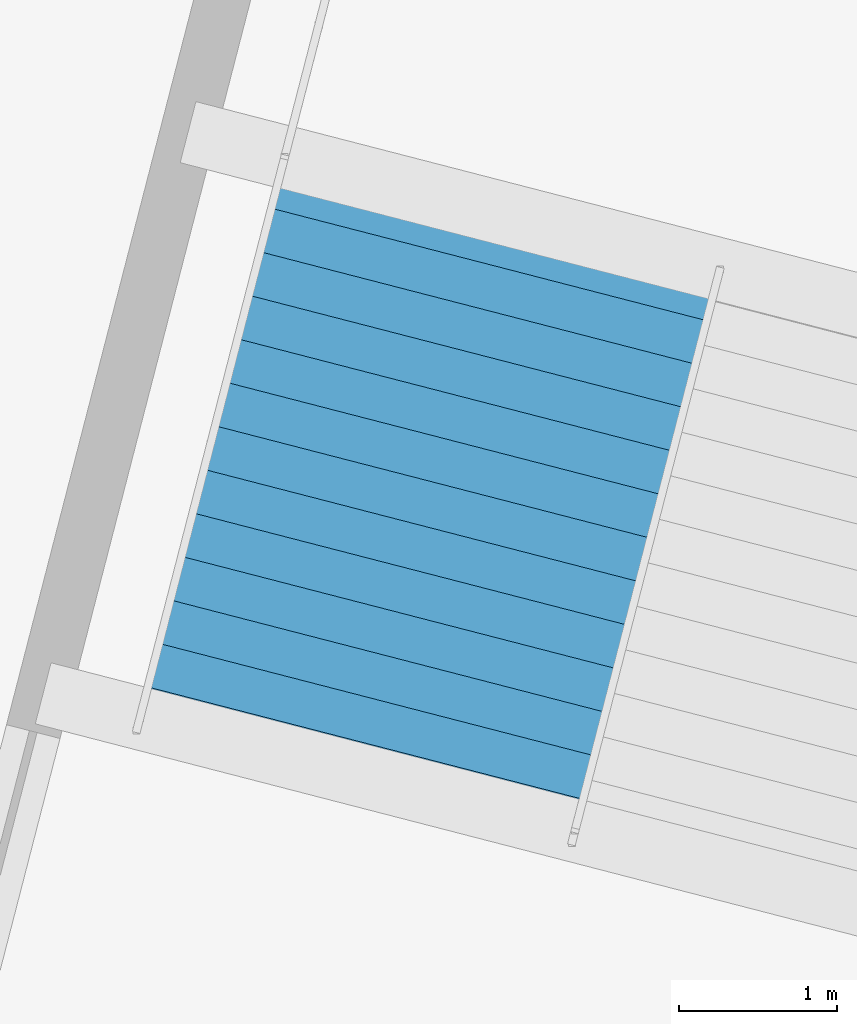
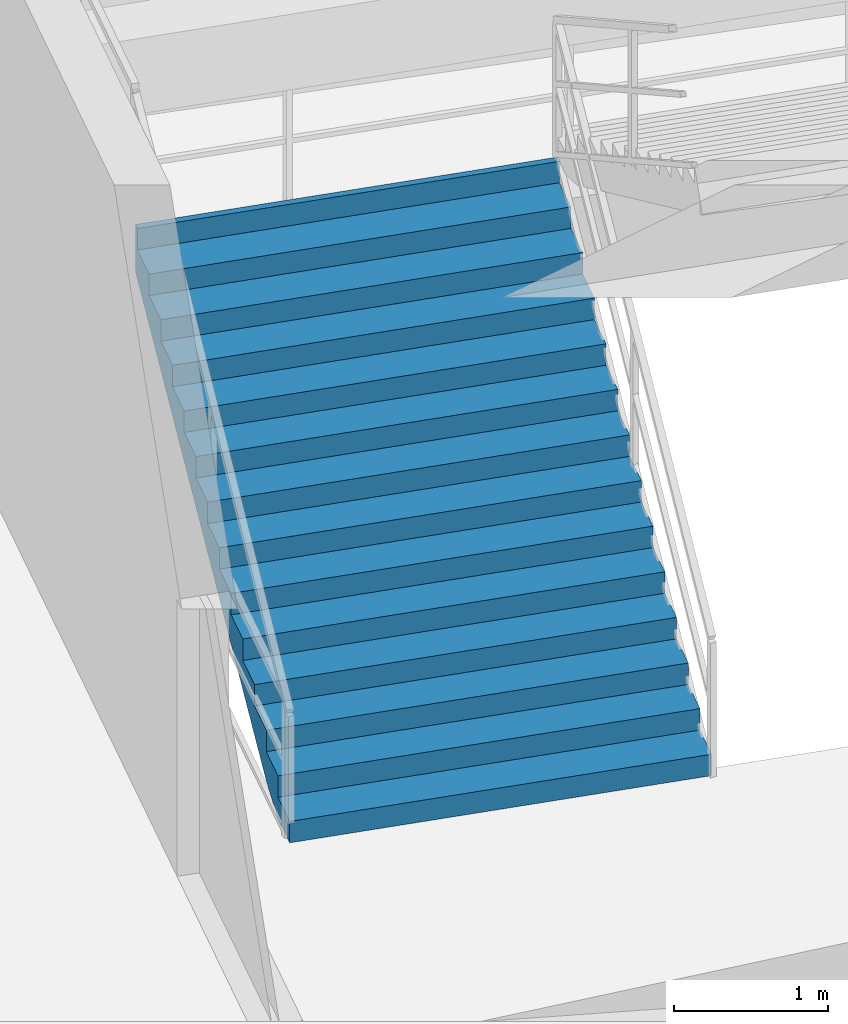
# One storey, part 150 of 171: 1 stair flight, 1 element without a shape of its own.
"""IFC4 building model written with IfcOpenShell, lengths in metres."""

from ifc_helpers import new_model, si_unit, direction, frame, origin, place, context, subcontext, project, spatial, polygons, material, type_object, element, aggregate, save


model = new_model("IFC4")

# Units and contexts
model_context = context("Model", 3, precision=1e-05, world=origin(), true_north=direction((0.0, 1.0)))
body_context = subcontext(model_context, "Body", "Model", "MODEL_VIEW")
ifc_project = project(units=[si_unit("LENGTHUNIT", "METRE"), si_unit("AREAUNIT", "SQUARE_METRE"), si_unit("VOLUMEUNIT", "CUBIC_METRE"), si_unit("PLANEANGLEUNIT", "RADIAN"), si_unit("MASSUNIT", "GRAM", prefix="KILO")], contexts=[model_context])

# Site, building, storey
site_placement = place(None, origin())
site = spatial("IfcSite", under=ifc_project, at=site_placement, CompositionType="ELEMENT")
building_placement = place(site_placement, origin())
building = spatial("IfcBuilding", under=site, at=building_placement, Name="Kazemori Nagisa Stadium", CompositionType="ELEMENT")
storey_placement = place(building_placement, frame((0.0, 0.0, 15.639892578125)))
storey = spatial("IfcBuildingStorey", under=building, at=storey_placement, Name="L03", CompositionType="ELEMENT", Elevation=15.639892578125)

# Stair, stair flight
ifc_material = material(Name="Concrete C36/45 (Fc36)", Category="concrete")
stair_type = type_object("IfcStairType", Name="Stair_CORE_28", PredefinedType="TWO_STRAIGHT_RUN_STAIR", material=ifc_material)
stair_placement = place(storey_placement, origin())
stair = element("IfcStair", 1, at=stair_placement, inside=storey, type_object=stair_type, Name="Exit stair ST10 L03", PredefinedType="TWO_STRAIGHT_RUN_STAIR")
stair_flight_type = type_object("IfcStairFlightType", Name="Flight_CORE_14", PredefinedType="STRAIGHT", material=ifc_material)
stair_flight_placement = place(storey_placement, frame((205.068359375, 69.982666015625, 0.0), z_axis=(0.0, 0.0, 1.0), x_axis=(0.250001576145, 0.968245429592, 0.0)))
stair_flight = element("IfcStairFlight", 2, at=stair_flight_placement, type_object=stair_flight_type, Name="Exit stair ST10 L03 flight 1", NumberOfRisers=14, NumberOfTreads=13, PredefinedType="STRAIGHT", RiserHeight=0.17, TreadLength=0.285, context=body_context, shape_type="Tessellation", body=[
    polygons([(0.0, -1.425048828125, 0.0), (0.0, -1.425048828125, 0.169921875), (0.284912109375, -1.425048828125, 0.169921875), (0.284912109375, -1.425048828125, 0.340087890625), (0.570068359375, -1.425048828125, 0.340087890625), (0.570068359375, -1.425048828125, 0.510009765625), (0.85498046875, -1.425048828125, 0.510009765625), (0.85498046875, -1.425048828125, 0.679931640625), (1.139892578125, -1.425048828125, 0.679931640625), (1.139892578125, -1.425048828125, 0.85009765625), (1.425048828125, -1.425048828125, 0.85009765625), (1.425048828125, -1.425048828125, 1.02001953125), (1.7099609375, -1.425048828125, 1.02001953125), (1.7099609375, -1.425048828125, 1.18994140625), (1.9951171875, -1.425048828125, 1.18994140625), (1.9951171875, -1.425048828125, 1.360107421875), (2.280029296875, -1.425048828125, 1.360107421875), (2.280029296875, -1.425048828125, 1.530029296875), (2.56494140625, -1.425048828125, 1.530029296875), (2.56494140625, -1.425048828125, 1.699951171875), (2.85009765625, -1.425048828125, 1.699951171875), (2.85009765625, -1.425048828125, 1.8701171875), (3.135009765625, -1.425048828125, 1.8701171875), (3.135009765625, -1.425048828125, 2.0400390625), (3.419921875, -1.425048828125, 2.0400390625), (3.419921875, -1.425048828125, 2.2099609375), (3.705078125, -1.425048828125, 2.2099609375), (3.705078125, -1.425048828125, 2.3798828125), (3.7548828125, -1.425048828125, 2.3798828125), (3.7548828125, -1.425048828125, 2.007080078125), (3.705078125, -1.425048828125, 1.977294921875), (3.419921875, -1.425048828125, 1.80712890625), (3.135009765625, -1.425048828125, 1.63720703125), (2.85009765625, -1.425048828125, 1.46728515625), (2.56494140625, -1.425048828125, 1.297119140625), (2.280029296875, -1.425048828125, 1.127197265625), (1.9951171875, -1.425048828125, 0.957275390625), (1.7099609375, -1.425048828125, 0.787109375), (1.425048828125, -1.425048828125, 0.6171875), (1.139892578125, -1.425048828125, 0.447265625), (0.85498046875, -1.425048828125, 0.277099609375), (0.570068359375, -1.425048828125, 0.107177734375), (0.284912109375, -1.425048828125, 0.0), (0.0, -0.08544921875, 0.0), (0.0, -0.08544921875, 0.169921875), (0.284912109375, -0.08544921875, 0.169921875), (0.284912109375, -0.08544921875, 0.340087890625), (0.570068359375, -0.08544921875, 0.340087890625), (0.570068359375, -0.08544921875, 0.510009765625), (0.85498046875, -0.08544921875, 0.510009765625), (0.85498046875, -0.08544921875, 0.679931640625), (1.139892578125, -0.08544921875, 0.679931640625), (1.139892578125, -0.08544921875, 0.85009765625), (1.425048828125, -0.08544921875, 0.85009765625), (1.425048828125, -0.08544921875, 1.02001953125), (1.7099609375, -0.08544921875, 1.02001953125), (1.7099609375, -0.08544921875, 1.18994140625), (1.9951171875, -0.08544921875, 1.18994140625), (1.9951171875, -0.08544921875, 1.360107421875), (2.280029296875, -0.08544921875, 1.360107421875), (2.280029296875, -0.08544921875, 1.530029296875), (2.56494140625, -0.08544921875, 1.530029296875), (2.56494140625, -0.08544921875, 1.699951171875), (2.85009765625, -0.08544921875, 1.699951171875), (2.85009765625, -0.08544921875, 1.8701171875), (3.135009765625, -0.08544921875, 1.8701171875), (3.135009765625, -0.08544921875, 2.0400390625), (3.419921875, -0.08544921875, 2.0400390625), (3.419921875, -0.08544921875, 2.2099609375), (3.705078125, -0.08544921875, 2.2099609375), (3.705078125, -0.08544921875, 2.3798828125), (3.7548828125, -0.08544921875, 2.3798828125), (3.7548828125, -0.08544921875, 2.007080078125), (3.705078125, -0.08544921875, 1.977294921875), (3.419921875, -0.08544921875, 1.80712890625), (3.135009765625, -0.08544921875, 1.63720703125), (2.85009765625, -0.08544921875, 1.46728515625), (2.56494140625, -0.08544921875, 1.297119140625), (2.280029296875, -0.08544921875, 1.127197265625), (1.9951171875, -0.08544921875, 0.957275390625), (1.7099609375, -0.08544921875, 0.787109375), (1.425048828125, -0.08544921875, 0.6171875), (1.139892578125, -0.08544921875, 0.447265625), (0.85498046875, -0.08544921875, 0.277099609375), (0.570068359375, -0.08544921875, 0.107177734375), (0.284912109375, -0.08544921875, 0.0), (0.0, 0.0, 0.0), (0.0, 0.0, 0.169921875), (0.284912109375, 0.0, 0.169921875), (0.284912109375, 0.0, 0.340087890625), (0.570068359375, 0.0, 0.340087890625), (0.570068359375, 0.0, 0.510009765625), (0.85498046875, 0.0, 0.510009765625), (0.85498046875, 0.0, 0.679931640625), (1.139892578125, 0.0, 0.679931640625), (1.139892578125, 0.0, 0.85009765625), (1.425048828125, 0.0, 0.85009765625), (1.425048828125, 0.0, 1.02001953125), (1.7099609375, 0.0, 1.02001953125), (1.7099609375, 0.0, 1.18994140625), (1.9951171875, 0.0, 1.18994140625), (1.9951171875, 0.0, 1.360107421875), (2.280029296875, 0.0, 1.360107421875), (2.280029296875, 0.0, 1.530029296875), (2.56494140625, 0.0, 1.530029296875), (2.56494140625, 0.0, 1.699951171875), (2.85009765625, 0.0, 1.699951171875), (2.85009765625, 0.0, 1.8701171875), (3.135009765625, 0.0, 1.8701171875), (3.135009765625, 0.0, 2.0400390625), (3.419921875, 0.0, 2.0400390625), (3.419921875, 0.0, 2.2099609375), (3.705078125, 0.0, 2.2099609375), (3.705078125, 0.0, 2.3798828125), (3.7548828125, 0.0, 2.3798828125), (3.7548828125, 0.0, 2.007080078125), (3.705078125, 0.0, 1.977294921875), (3.419921875, 0.0, 1.80712890625), (3.135009765625, 0.0, 1.63720703125), (2.85009765625, 0.0, 1.46728515625), (2.56494140625, 0.0, 1.297119140625), (2.280029296875, 0.0, 1.127197265625), (1.9951171875, 0.0, 0.957275390625), (1.7099609375, 0.0, 0.787109375), (1.425048828125, 0.0, 0.6171875), (1.139892578125, 0.0, 0.447265625), (0.85498046875, 0.0, 0.277099609375), (0.570068359375, 0.0, 0.107177734375), (0.284912109375, 0.0, 0.0), (0.0, 0.08544921875, 0.0), (0.0, 0.08544921875, 0.169921875), (0.284912109375, 0.08544921875, 0.169921875), (0.284912109375, 0.08544921875, 0.340087890625), (0.570068359375, 0.08544921875, 0.340087890625), (0.570068359375, 0.08544921875, 0.510009765625), (0.85498046875, 0.08544921875, 0.510009765625), (0.85498046875, 0.08544921875, 0.679931640625), (1.139892578125, 0.08544921875, 0.679931640625), (1.139892578125, 0.08544921875, 0.85009765625), (1.425048828125, 0.08544921875, 0.85009765625), (1.425048828125, 0.08544921875, 1.02001953125), (1.7099609375, 0.08544921875, 1.02001953125), (1.7099609375, 0.08544921875, 1.18994140625), (1.9951171875, 0.08544921875, 1.18994140625), (1.9951171875, 0.08544921875, 1.360107421875), (2.280029296875, 0.08544921875, 1.360107421875), (2.280029296875, 0.08544921875, 1.530029296875), (2.56494140625, 0.08544921875, 1.530029296875), (2.56494140625, 0.08544921875, 1.699951171875), (2.85009765625, 0.08544921875, 1.699951171875), (2.85009765625, 0.08544921875, 1.8701171875), (3.135009765625, 0.08544921875, 1.8701171875), (3.135009765625, 0.08544921875, 2.0400390625), (3.419921875, 0.08544921875, 2.0400390625), (3.419921875, 0.08544921875, 2.2099609375), (3.705078125, 0.08544921875, 2.2099609375), (3.705078125, 0.08544921875, 2.3798828125), (3.7548828125, 0.08544921875, 2.3798828125), (3.7548828125, 0.08544921875, 2.007080078125), (3.705078125, 0.08544921875, 1.977294921875), (3.419921875, 0.08544921875, 1.80712890625), (3.135009765625, 0.08544921875, 1.63720703125), (2.85009765625, 0.08544921875, 1.46728515625), (2.56494140625, 0.08544921875, 1.297119140625), (2.280029296875, 0.08544921875, 1.127197265625), (1.9951171875, 0.08544921875, 0.957275390625), (1.7099609375, 0.08544921875, 0.787109375), (1.425048828125, 0.08544921875, 0.6171875), (1.139892578125, 0.08544921875, 0.447265625), (0.85498046875, 0.08544921875, 0.277099609375), (0.570068359375, 0.08544921875, 0.107177734375), (0.284912109375, 0.08544921875, 0.0), (0.0, 1.425048828125, 0.0), (0.0, 1.425048828125, 0.169921875), (0.284912109375, 1.425048828125, 0.169921875), (0.284912109375, 1.425048828125, 0.340087890625), (0.570068359375, 1.425048828125, 0.340087890625), (0.570068359375, 1.425048828125, 0.510009765625), (0.85498046875, 1.425048828125, 0.510009765625), (0.85498046875, 1.425048828125, 0.679931640625), (1.139892578125, 1.425048828125, 0.679931640625), (1.139892578125, 1.425048828125, 0.85009765625), (1.425048828125, 1.425048828125, 0.85009765625), (1.425048828125, 1.425048828125, 1.02001953125), (1.7099609375, 1.425048828125, 1.02001953125), (1.7099609375, 1.425048828125, 1.18994140625), (1.9951171875, 1.425048828125, 1.18994140625), (1.9951171875, 1.425048828125, 1.360107421875), (2.280029296875, 1.425048828125, 1.360107421875), (2.280029296875, 1.425048828125, 1.530029296875), (2.56494140625, 1.425048828125, 1.530029296875), (2.56494140625, 1.425048828125, 1.699951171875), (2.85009765625, 1.425048828125, 1.699951171875), (2.85009765625, 1.425048828125, 1.8701171875), (3.135009765625, 1.425048828125, 1.8701171875), (3.135009765625, 1.425048828125, 2.0400390625), (3.419921875, 1.425048828125, 2.0400390625), (3.419921875, 1.425048828125, 2.2099609375), (3.705078125, 1.425048828125, 2.2099609375), (3.705078125, 1.425048828125, 2.3798828125), (3.7548828125, 1.425048828125, 2.3798828125), (3.7548828125, 1.425048828125, 2.007080078125), (3.705078125, 1.425048828125, 1.977294921875), (3.419921875, 1.425048828125, 1.80712890625), (3.135009765625, 1.425048828125, 1.63720703125), (2.85009765625, 1.425048828125, 1.46728515625), (2.56494140625, 1.425048828125, 1.297119140625), (2.280029296875, 1.425048828125, 1.127197265625), (1.9951171875, 1.425048828125, 0.957275390625), (1.7099609375, 1.425048828125, 0.787109375), (1.425048828125, 1.425048828125, 0.6171875), (1.139892578125, 1.425048828125, 0.447265625), (0.85498046875, 1.425048828125, 0.277099609375), (0.570068359375, 1.425048828125, 0.107177734375), (0.284912109375, 1.425048828125, 0.0)], [[[1, 2, 45]], [[1, 45, 44]], [[2, 3, 46]], [[2, 46, 45]], [[3, 4, 47]], [[3, 47, 46]], [[4, 5, 48]], [[4, 48, 47]], [[5, 6, 49]], [[5, 49, 48]], [[6, 7, 50]], [[6, 50, 49]], [[7, 8, 51]], [[7, 51, 50]], [[8, 9, 52]], [[8, 52, 51]], [[9, 10, 53]], [[9, 53, 52]], [[10, 11, 54]], [[10, 54, 53]], [[11, 12, 55]], [[11, 55, 54]], [[12, 13, 56]], [[12, 56, 55]], [[13, 14, 57]], [[13, 57, 56]], [[14, 15, 58]], [[14, 58, 57]], [[15, 16, 59]], [[15, 59, 58]], [[16, 17, 60]], [[16, 60, 59]], [[17, 18, 61]], [[17, 61, 60]], [[18, 19, 62]], [[18, 62, 61]], [[19, 20, 63]], [[19, 63, 62]], [[20, 21, 64]], [[20, 64, 63]], [[21, 22, 65]], [[21, 65, 64]], [[22, 23, 66]], [[22, 66, 65]], [[23, 24, 67]], [[23, 67, 66]], [[24, 25, 68]], [[24, 68, 67]], [[25, 26, 69]], [[25, 69, 68]], [[26, 27, 70]], [[26, 70, 69]], [[27, 28, 71]], [[27, 71, 70]], [[28, 29, 72]], [[28, 72, 71]], [[29, 30, 73]], [[29, 73, 72]], [[30, 31, 74]], [[30, 74, 73]], [[31, 32, 75]], [[31, 75, 74]], [[32, 33, 76]], [[32, 76, 75]], [[33, 34, 77]], [[33, 77, 76]], [[34, 35, 78]], [[34, 78, 77]], [[35, 36, 79]], [[35, 79, 78]], [[36, 37, 80]], [[36, 80, 79]], [[37, 38, 81]], [[37, 81, 80]], [[38, 39, 82]], [[38, 82, 81]], [[39, 40, 83]], [[39, 83, 82]], [[40, 41, 84]], [[40, 84, 83]], [[41, 42, 85]], [[41, 85, 84]], [[42, 43, 86]], [[42, 86, 85]], [[43, 1, 44]], [[43, 44, 86]], [[44, 45, 88]], [[44, 88, 87]], [[45, 46, 89]], [[45, 89, 88]], [[46, 47, 90]], [[46, 90, 89]], [[47, 48, 91]], [[47, 91, 90]], [[48, 49, 92]], [[48, 92, 91]], [[49, 50, 93]], [[49, 93, 92]], [[50, 51, 94]], [[50, 94, 93]], [[51, 52, 95]], [[51, 95, 94]], [[52, 53, 96]], [[52, 96, 95]], [[53, 54, 97]], [[53, 97, 96]], [[54, 55, 98]], [[54, 98, 97]], [[55, 56, 99]], [[55, 99, 98]], [[56, 57, 100]], [[56, 100, 99]], [[57, 58, 101]], [[57, 101, 100]], [[58, 59, 102]], [[58, 102, 101]], [[59, 60, 103]], [[59, 103, 102]], [[60, 61, 104]], [[60, 104, 103]], [[61, 62, 105]], [[61, 105, 104]], [[62, 63, 106]], [[62, 106, 105]], [[63, 64, 107]], [[63, 107, 106]], [[64, 65, 108]], [[64, 108, 107]], [[65, 66, 109]], [[65, 109, 108]], [[66, 67, 110]], [[66, 110, 109]], [[67, 68, 111]], [[67, 111, 110]], [[68, 69, 112]], [[68, 112, 111]], [[69, 70, 113]], [[69, 113, 112]], [[70, 71, 114]], [[70, 114, 113]], [[71, 72, 115]], [[71, 115, 114]], [[72, 73, 116]], [[72, 116, 115]], [[73, 74, 117]], [[73, 117, 116]], [[74, 75, 118]], [[74, 118, 117]], [[75, 76, 119]], [[75, 119, 118]], [[76, 77, 120]], [[76, 120, 119]], [[77, 78, 121]], [[77, 121, 120]], [[78, 79, 122]], [[78, 122, 121]], [[79, 80, 123]], [[79, 123, 122]], [[80, 81, 124]], [[80, 124, 123]], [[81, 82, 125]], [[81, 125, 124]], [[82, 83, 126]], [[82, 126, 125]], [[83, 84, 127]], [[83, 127, 126]], [[84, 85, 128]], [[84, 128, 127]], [[85, 86, 129]], [[85, 129, 128]], [[86, 44, 87]], [[86, 87, 129]], [[87, 88, 131]], [[87, 131, 130]], [[88, 89, 132]], [[88, 132, 131]], [[89, 90, 133]], [[89, 133, 132]], [[90, 91, 134]], [[90, 134, 133]], [[91, 92, 135]], [[91, 135, 134]], [[92, 93, 136]], [[92, 136, 135]], [[93, 94, 137]], [[93, 137, 136]], [[94, 95, 138]], [[94, 138, 137]], [[95, 96, 139]], [[95, 139, 138]], [[96, 97, 140]], [[96, 140, 139]], [[97, 98, 141]], [[97, 141, 140]], [[98, 99, 142]], [[98, 142, 141]], [[99, 100, 143]], [[99, 143, 142]], [[100, 101, 144]], [[100, 144, 143]], [[101, 102, 145]], [[101, 145, 144]], [[102, 103, 146]], [[102, 146, 145]], [[103, 104, 147]], [[103, 147, 146]], [[104, 105, 148]], [[104, 148, 147]], [[105, 106, 149]], [[105, 149, 148]], [[106, 107, 150]], [[106, 150, 149]], [[107, 108, 151]], [[107, 151, 150]], [[108, 109, 152]], [[108, 152, 151]], [[109, 110, 153]], [[109, 153, 152]], [[110, 111, 154]], [[110, 154, 153]], [[111, 112, 155]], [[111, 155, 154]], [[112, 113, 156]], [[112, 156, 155]], [[113, 114, 157]], [[113, 157, 156]], [[114, 115, 158]], [[114, 158, 157]], [[115, 116, 159]], [[115, 159, 158]], [[116, 117, 160]], [[116, 160, 159]], [[117, 118, 161]], [[117, 161, 160]], [[118, 119, 162]], [[118, 162, 161]], [[119, 120, 163]], [[119, 163, 162]], [[120, 121, 164]], [[120, 164, 163]], [[121, 122, 165]], [[121, 165, 164]], [[122, 123, 166]], [[122, 166, 165]], [[123, 124, 167]], [[123, 167, 166]], [[124, 125, 168]], [[124, 168, 167]], [[125, 126, 169]], [[125, 169, 168]], [[126, 127, 170]], [[126, 170, 169]], [[127, 128, 171]], [[127, 171, 170]], [[128, 129, 172]], [[128, 172, 171]], [[129, 87, 130]], [[129, 130, 172]], [[130, 131, 174]], [[130, 174, 173]], [[131, 132, 175]], [[131, 175, 174]], [[132, 133, 176]], [[132, 176, 175]], [[133, 134, 177]], [[133, 177, 176]], [[134, 135, 178]], [[134, 178, 177]], [[135, 136, 179]], [[135, 179, 178]], [[136, 137, 180]], [[136, 180, 179]], [[137, 138, 181]], [[137, 181, 180]], [[138, 139, 182]], [[138, 182, 181]], [[139, 140, 183]], [[139, 183, 182]], [[140, 141, 184]], [[140, 184, 183]], [[141, 142, 185]], [[141, 185, 184]], [[142, 143, 186]], [[142, 186, 185]], [[143, 144, 187]], [[143, 187, 186]], [[144, 145, 188]], [[144, 188, 187]], [[145, 146, 189]], [[145, 189, 188]], [[146, 147, 190]], [[146, 190, 189]], [[147, 148, 191]], [[147, 191, 190]], [[148, 149, 192]], [[148, 192, 191]], [[149, 150, 193]], [[149, 193, 192]], [[150, 151, 194]], [[150, 194, 193]], [[151, 152, 195]], [[151, 195, 194]], [[152, 153, 196]], [[152, 196, 195]], [[153, 154, 197]], [[153, 197, 196]], [[154, 155, 198]], [[154, 198, 197]], [[155, 156, 199]], [[155, 199, 198]], [[156, 157, 200]], [[156, 200, 199]], [[157, 158, 201]], [[157, 201, 200]], [[158, 159, 202]], [[158, 202, 201]], [[159, 160, 203]], [[159, 203, 202]], [[160, 161, 204]], [[160, 204, 203]], [[161, 162, 205]], [[161, 205, 204]], [[162, 163, 206]], [[162, 206, 205]], [[163, 164, 207]], [[163, 207, 206]], [[164, 165, 208]], [[164, 208, 207]], [[165, 166, 209]], [[165, 209, 208]], [[166, 167, 210]], [[166, 210, 209]], [[167, 168, 211]], [[167, 211, 210]], [[168, 169, 212]], [[168, 212, 211]], [[169, 170, 213]], [[169, 213, 212]], [[170, 171, 214]], [[170, 214, 213]], [[171, 172, 215]], [[171, 215, 214]], [[172, 130, 173]], [[172, 173, 215]], [[3, 2, 1]], [[173, 174, 175]], [[43, 3, 1]], [[173, 175, 215]], [[42, 3, 43]], [[215, 175, 214]], [[5, 3, 42]], [[214, 175, 177]], [[5, 4, 3]], [[175, 176, 177]], [[41, 5, 42]], [[214, 177, 213]], [[7, 5, 41]], [[213, 177, 179]], [[7, 6, 5]], [[177, 178, 179]], [[40, 7, 41]], [[213, 179, 212]], [[9, 7, 40]], [[212, 179, 181]], [[9, 8, 7]], [[179, 180, 181]], [[39, 9, 40]], [[212, 181, 211]], [[11, 9, 39]], [[211, 181, 183]], [[11, 10, 9]], [[181, 182, 183]], [[38, 11, 39]], [[211, 183, 210]], [[13, 11, 38]], [[210, 183, 185]], [[13, 12, 11]], [[183, 184, 185]], [[37, 13, 38]], [[210, 185, 209]], [[15, 13, 37]], [[209, 185, 187]], [[15, 14, 13]], [[185, 186, 187]], [[36, 15, 37]], [[209, 187, 208]], [[17, 15, 36]], [[208, 187, 189]], [[17, 16, 15]], [[187, 188, 189]], [[35, 17, 36]], [[208, 189, 207]], [[19, 17, 35]], [[207, 189, 191]], [[19, 18, 17]], [[189, 190, 191]], [[34, 19, 35]], [[207, 191, 206]], [[21, 19, 34]], [[206, 191, 193]], [[21, 20, 19]], [[191, 192, 193]], [[33, 21, 34]], [[206, 193, 205]], [[23, 21, 33]], [[205, 193, 195]], [[23, 22, 21]], [[193, 194, 195]], [[32, 23, 33]], [[205, 195, 204]], [[25, 23, 32]], [[204, 195, 197]], [[25, 24, 23]], [[195, 196, 197]], [[31, 25, 32]], [[204, 197, 203]], [[27, 25, 31]], [[203, 197, 199]], [[27, 26, 25]], [[197, 198, 199]], [[30, 27, 31]], [[203, 199, 202]], [[29, 27, 30]], [[202, 199, 201]], [[29, 28, 27]], [[199, 200, 201]]], closed=True),
])
aggregate(stair, [stair_flight])

save(model, "model.ifc")
